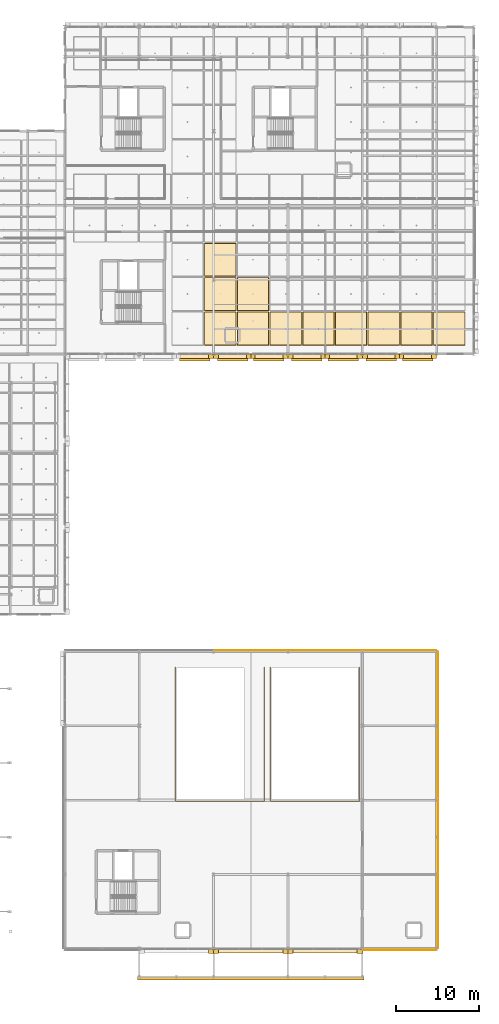
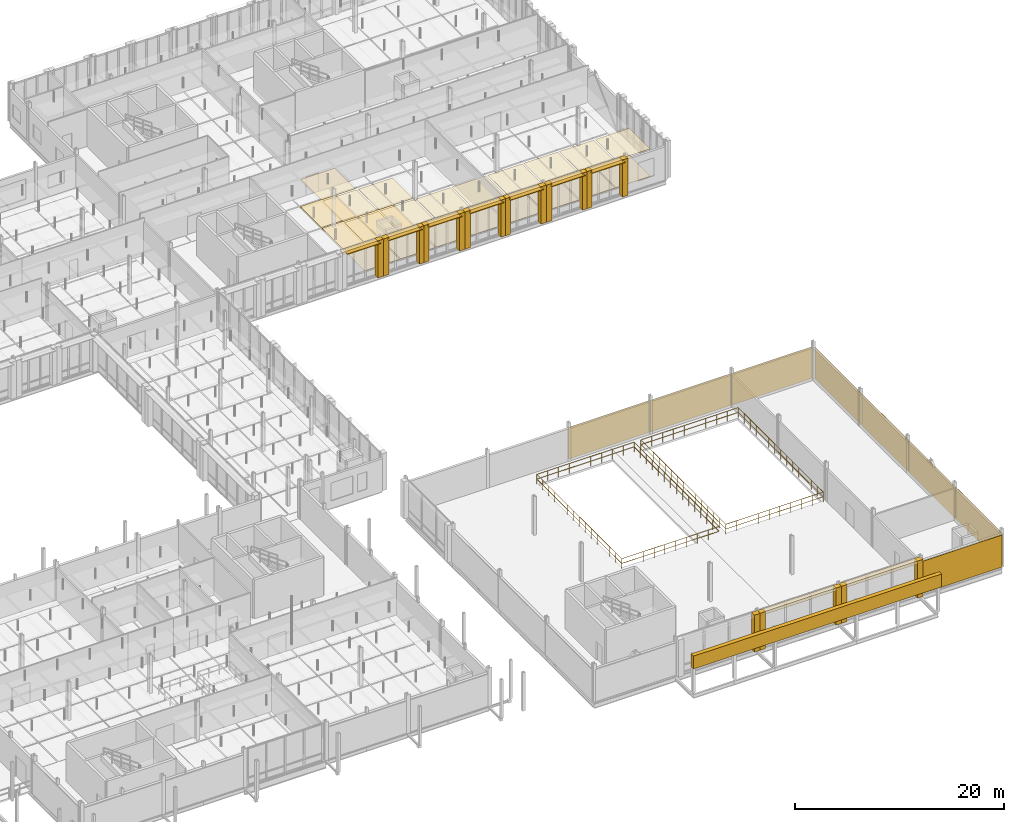
# One storey, part 128 of 130: 58 coverings, 7 shading devices, 2 railings.
"""IFC4 building model written with IfcOpenShell, lengths in metres."""

import ifcopenshell
import ifcopenshell.guid

model = None  # the IFC model being written
_history = None  # IfcOwnerHistory: only IFC2X3 demands one
_inside = {}  # id of a spatial element -> (the spatial element, [elements in it])
_under = {}  # id of a project, library or spatial element -> (it, [spatial elements below it])
_declared = {}  # id of a project -> (the project, [libraries it declares])
_typed = {}  # id of a type object -> (the type object, [elements of that type])
_made_of = {}  # id of a material, layer set ... -> (it, [elements and type objects made of it])


def new_model(schema):
    """Start an empty IFC model of exactly this schema.

    Asked for "IFC4X3", IfcOpenShell would pick the latest addendum, in which some entities
    have other attributes; the version numbers below select the first issue.
    IFC2X3 requires an IfcOwnerHistory on every rooted entity: one is made here for all.
    """
    global model, _history
    if schema == "IFC4X3":
        model = ifcopenshell.file(schema_version=(4, 3, 0, 0))
    else:
        model = ifcopenshell.file(schema=schema)
    _inside.clear()
    _under.clear()
    _declared.clear()
    _typed.clear()
    _made_of.clear()
    _history = None
    if model.schema == "IFC2X3":
        org = make("IfcOrganization", Name="unknown")
        user = make(
            "IfcPersonAndOrganization",
            ThePerson=make("IfcPerson", FamilyName="unknown"),
            TheOrganization=org,
        )
        app = make(
            "IfcApplication",
            ApplicationDeveloper=org,
            Version="unknown",
            ApplicationFullName="unknown",
            ApplicationIdentifier="unknown",
        )
        _history = make(
            "IfcOwnerHistory",
            OwningUser=user,
            OwningApplication=app,
            ChangeAction="ADDED",
            CreationDate=0,
        )
    return model


def make(cls, **values):
    """One entity of the class cls with the attributes given. An attribute that is None is left unset."""
    return model.create_entity(
        cls, **{name: value for name, value in values.items() if value is not None}
    )


def rooted(cls, **values):
    """An entity with a GlobalId (a new one), such as an element, a storey or a relation."""
    return make(cls, GlobalId=ifcopenshell.guid.new(), OwnerHistory=_history, **values)


def si_unit(unit_type, name, prefix=None):
    """IfcSIUnit, for example si_unit("LENGTHUNIT", "METRE", prefix="MILLI")."""
    return make("IfcSIUnit", UnitType=unit_type, Prefix=prefix, Name=name)


def assignment(units):
    """IfcUnitAssignment: the units of a project."""
    return None if units is None else make("IfcUnitAssignment", Units=units)


def point(xyz):
    """IfcCartesianPoint."""
    return None if xyz is None else make("IfcCartesianPoint", Coordinates=xyz)


def direction(xyz):
    """IfcDirection."""
    return None if xyz is None else make("IfcDirection", DirectionRatios=xyz)


def frame(location, z_axis=None, x_axis=None):
    """IfcAxis2Placement3D, a coordinate frame: its origin and axes. An axis left out is left unset."""
    return make(
        "IfcAxis2Placement3D",
        Location=point(location),
        Axis=direction(z_axis),
        RefDirection=direction(x_axis),
    )


def frame_2d(location, x_axis=None):
    """IfcAxis2Placement2D, a coordinate frame in the plane: its origin and x axis."""
    return make(
        "IfcAxis2Placement2D", Location=point(location), RefDirection=direction(x_axis)
    )


def origin():
    """The frame at (0, 0, 0) with its axes left unset."""
    return frame((0.0, 0.0, 0.0))


def origin_2d():
    """The frame at (0, 0) in the plane with its x axis left unset."""
    return frame_2d((0.0, 0.0))


def place(relative_to, where):
    """IfcLocalPlacement: puts the frame where relative to a parent placement (None: the world)."""
    return make(
        "IfcLocalPlacement", PlacementRelTo=relative_to, RelativePlacement=where
    )


def context(
    kind, dimensions, precision=None, world=None, true_north=None, identifier=None
):
    """IfcGeometricRepresentationContext, for example the 3D "Model" context."""
    return make(
        "IfcGeometricRepresentationContext",
        ContextIdentifier=identifier,
        ContextType=kind,
        CoordinateSpaceDimension=dimensions,
        Precision=precision,
        WorldCoordinateSystem=world,
        TrueNorth=true_north,
    )


def subcontext(parent, identifier, kind, view, scale=None):
    """IfcGeometricRepresentationSubContext, for example "Body" below "Model"."""
    return make(
        "IfcGeometricRepresentationSubContext",
        ContextIdentifier=identifier,
        ContextType=kind,
        ParentContext=parent,
        TargetScale=scale,
        TargetView=view,
    )


def project(units=None, contexts=None):
    """IfcProject with its units and contexts."""
    return rooted(
        "IfcProject",
        Name="project",
        RepresentationContexts=contexts,
        UnitsInContext=assignment(units),
    )


def spatial(cls, under=None, at=None, **own):
    """A site, building, storey or space (cls), placed at a placement, below another one or the project."""
    s = rooted(cls, ObjectPlacement=at, **own)
    if under is not None:
        _under.setdefault(under.id(), (under, []))[1].append(s)
    return s


def profile(cls, at=None, kind="AREA", **sizes):
    """A parametric profile (cls). Its sizes go by their IFC names, for example OverallWidth=200.0."""
    return make(cls, ProfileType=kind, Position=at, **sizes)


def rectangle(**sizes):
    """IfcRectangleProfileDef."""
    return profile("IfcRectangleProfileDef", **sizes)


def circle(**sizes):
    """IfcCircleProfileDef."""
    return profile("IfcCircleProfileDef", **sizes)


def extrude(swept, where, along, depth):
    """IfcExtrudedAreaSolid: the profile swept, set in the frame where, extruded along a direction by depth."""
    return make(
        "IfcExtrudedAreaSolid",
        SweptArea=swept,
        Position=where,
        ExtrudedDirection=direction(along),
        Depth=depth,
    )


def shape(context_of_items, identifier, shape_type, items):
    """IfcShapeRepresentation: the items that make up one representation, for example the "Body"."""
    return make(
        "IfcShapeRepresentation",
        ContextOfItems=context_of_items,
        RepresentationIdentifier=identifier,
        RepresentationType=shape_type,
        Items=items,
    )


def material(Name=None, Category=None):
    """IfcMaterial."""
    return make("IfcMaterial", Name=Name, Category=Category)


def layer(
    of_material, thickness, ventilated=None, Name=None, Category=None, Priority=None
):
    """IfcMaterialLayer: one layer of a wall or slab, of a material (None: an air gap)."""
    return make(
        "IfcMaterialLayer",
        Material=of_material,
        LayerThickness=thickness,
        IsVentilated=ventilated,
        Name=Name,
        Category=Category,
        Priority=Priority,
    )


def layer_set(layers, Name=None):
    """IfcMaterialLayerSet."""
    return make("IfcMaterialLayerSet", MaterialLayers=layers, LayerSetName=Name)


def made_of(thing, what):
    """Note that an element or type object is made of a material, layer set ...; save() writes the relation."""
    if what is not None:
        _made_of.setdefault(what.id(), (what, []))[1].append(thing)
    return thing


def type_object(cls, material=None, **own):
    """A type object (cls), such as IfcWallType, which elements share."""
    return made_of(rooted(cls, **own), material)


def element(
    cls,
    number,
    at=None,
    inside=None,
    cuts=None,
    type_object=None,
    material=None,
    context=None,
    identifier="Body",
    shape_type=None,
    held_by="IfcProductDefinitionShape",
    body=None,
    shapes=None,
    **own,
):
    """One element of the class cls, such as IfcWall. Its Tag is "e" and its number.

    at: its placement. inside: the storey or other place that contains it. cuts: it is an
    opening in that element (IfcRelVoidsElement). A single representation is given by context,
    identifier, shape_type and body (its items); several are given by shapes. held_by: the class
    of the entity that holds the representations. save() writes the other relations.
    """
    e = rooted(cls, Tag="e%d" % number, ObjectPlacement=at, **own)
    if body is not None:
        shapes = [shape(context, identifier, shape_type, body)]
    if shapes is not None:
        e.Representation = make(held_by, Representations=shapes)
    if inside is not None:
        _inside.setdefault(inside.id(), (inside, []))[1].append(e)
    if cuts is not None:
        rooted(
            "IfcRelVoidsElement", RelatingBuildingElement=cuts, RelatedOpeningElement=e
        )
    if type_object is not None:
        _typed.setdefault(type_object.id(), (type_object, []))[1].append(e)
    return made_of(e, material)


def aggregate(whole, parts):
    """IfcRelAggregates: a whole, such as a stair, and the parts it consists of."""
    return rooted("IfcRelAggregates", RelatingObject=whole, RelatedObjects=parts)


def save(model, path):
    """Write the relations noted so far, then the file.

    IfcRelAggregates (storeys below a building ...), IfcRelContainedInSpatialStructure (elements
    in a storey), IfcRelDefinesByType, IfcRelAssociatesMaterial and IfcRelDeclares: one each for
    every whole, place, type object, material and project.
    """
    for whole, parts in _under.values():
        aggregate(whole, parts)
    for where, things in _inside.values():
        rooted(
            "IfcRelContainedInSpatialStructure",
            RelatedElements=things,
            RelatingStructure=where,
        )
    for kind, things in _typed.values():
        rooted("IfcRelDefinesByType", RelatedObjects=things, RelatingType=kind)
    for what, things in _made_of.values():
        rooted("IfcRelAssociatesMaterial", RelatedObjects=things, RelatingMaterial=what)
    for by, libraries in _declared.values():
        rooted("IfcRelDeclares", RelatingContext=by, RelatedDefinitions=libraries)
    model.write(path)


model = new_model("IFC4")

# Units and contexts
model_context = context("Model", 3, precision=1e-05, world=origin(), true_north=direction((0.0, 1.0)))
body_context = subcontext(model_context, "Body", "Model", "MODEL_VIEW")
ifc_project = project(units=[si_unit("LENGTHUNIT", "METRE"), si_unit("AREAUNIT", "SQUARE_METRE"), si_unit("VOLUMEUNIT", "CUBIC_METRE"), si_unit("PLANEANGLEUNIT", "RADIAN"), si_unit("MASSUNIT", "GRAM", prefix="KILO"), si_unit("THERMODYNAMICTEMPERATUREUNIT", "KELVIN"), si_unit("POWERUNIT", "WATT")], contexts=[model_context])

# Site, building, storey
site_placement = place(None, origin())
site = spatial("IfcSite", under=ifc_project, at=site_placement, CompositionType="ELEMENT")
building_placement = place(site_placement, origin())
building = spatial("IfcBuilding", under=site, at=building_placement, Name="Tallowbark Science Centre", CompositionType="ELEMENT")
storey_placement = place(building_placement, frame((0.0, 0.0, 5.39990234375)))
storey = spatial("IfcBuildingStorey", under=building, at=storey_placement, Name="L01", CompositionType="ELEMENT", Elevation=5.39990234375)

# Coverings
ifc_material_1 = material(Name="Mineral-Fibre Acoustic Ceiling Tile Grid")
ifc_layer_1 = layer(ifc_material_1, 0.01806640625)
ifc_layer_set_1 = layer_set([ifc_layer_1], Name="Mineral-Fibre Acoustic Ceiling Tile Grid")
covering_type_1 = type_object("IfcCoveringType", Name="CLG-ACT-18", PredefinedType="CEILING", material=ifc_layer_set_1)
for number, where, z_axis, x_axis, name in (
    (1, (131.3125, 75.083251953125, 3.191162109375), (0.0, 0.0, 1.0), (1.0, 0.0, 0.0), "Suspended Ceiling L01-705"),
    (2, (131.3125, 79.25, 3.191162109375), (0.0, 0.0, 1.0), (1.0, 0.0, 0.0), "Suspended Ceiling L01-706"),
    (3, (131.3125, 83.416748046875, 3.191162109375), (0.0, 0.0, 1.0), (1.0, 0.0, 0.0), "Suspended Ceiling L01-707"),
    (4, (135.270751953125, 75.083251953125, 3.191162109375), (0.0, 0.0, 1.0), (1.0, 0.0, 0.0), "Suspended Ceiling L01-714"),
    (5, (135.270751953125, 79.25, 3.191162109375), (0.0, 0.0, 1.0), (1.0, 0.0, 0.0), "Suspended Ceiling L01-715"),
    (6, (139.229248046875, 75.083251953125, 3.191162109375), (0.0, 0.0, 1.0), (1.0, 0.0, 0.0), "Suspended Ceiling L01-720"),
    (7, (143.1875, 75.083251953125, 3.191162109375), (0.0, 0.0, 1.0), (1.0, 0.0, 0.0), "Suspended Ceiling L01-726"),
    (8, (147.145751953125, 75.083251953125, 3.191162109375), (0.0, 0.0, 1.0), (1.0, 0.0, 0.0), "Suspended Ceiling L01-732"),
    (9, (151.104248046875, 75.083251953125, 3.191162109375), (0.0, 0.0, 1.0), (1.0, 0.0, 0.0), "Suspended Ceiling L01-741"),
    (10, (155.0625, 75.083251953125, 3.191162109375), (0.0, 0.0, 1.0), (1.0, 0.0, 0.0), "Suspended Ceiling L01-750"),
    (11, (159.020751953125, 75.083251953125, 3.191162109375), (0.0, 0.0, 1.0), (1.0, 0.0, 0.0), "Suspended Ceiling L01-759"),
):
    element("IfcCovering", number, at=place(storey_placement, frame(where, z_axis=z_axis, x_axis=x_axis)), inside=storey, type_object=covering_type_1, Name=name, PredefinedType="CEILING", context=body_context, shape_type="SweptSolid", body=[
        extrude(rectangle(XDim=3.7783203125, YDim=3.98681640625, at=origin_2d()), origin(), (0.0, 0.0, 1.0), 0.01806640625),
    ])
ifc_material_2 = material(Name="White Architectural Precast Concrete Grade N40 (40 MPa)", Category="concrete")
ifc_layer_2 = layer(ifc_material_2, 0.1201171875)
ifc_layer_set_2 = layer_set([ifc_layer_2], Name="White Architectural Precast Concrete Grade N40 (40 MPa)")
covering_type_2 = type_object("IfcCoveringType", Name="COV-PRC-CLAD", PredefinedType="CLADDING", material=ifc_layer_set_2)
for number, where, z_axis, x_axis, name in (
    (12, (130.195068359375, -0.280029296875, 0.0), (0.0, 0.0, 1.0), (1.0, 0.0, 0.0), "Postmodern Deep Precast Pier CW-L01-002-2"),
    (13, (130.804931640625, -0.280029296875, 0.0), (0.0, 0.0, 1.0), (1.0, 0.0, 0.0), "Postmodern Deep Precast Pier CW-L01-003-1"),
    (14, (139.195068359375, -0.280029296875, 0.0), (0.0, 0.0, 1.0), (1.0, 0.0, 0.0), "Postmodern Deep Precast Pier CW-L01-003-2"),
    (15, (139.804931640625, -0.280029296875, 0.0), (0.0, 0.0, 1.0), (1.0, 0.0, 0.0), "Postmodern Deep Precast Pier CW-L01-004-1"),
    (16, (148.195068359375, -0.280029296875, 0.0), (0.0, 0.0, 1.0), (1.0, 0.0, 0.0), "Postmodern Deep Precast Pier CW-L01-004-2"),
    (17, (130.195068359375, 71.719970703125, 0.0), (0.0, 0.0, 1.0), (1.0, 0.0, 0.0), "Postmodern Deep Precast Pier CW-L01-117-2"),
    (18, (130.804931640625, 71.719970703125, 0.0), (0.0, 0.0, 1.0), (1.0, 0.0, 0.0), "Postmodern Deep Precast Pier CW-L01-120-1"),
):
    element("IfcCovering", number, at=place(storey_placement, frame(where, z_axis=z_axis, x_axis=x_axis)), inside=storey, type_object=covering_type_2, Name=name, PredefinedType="CLADDING", context=body_context, shape_type="SweptSolid", body=[
        extrude(rectangle(XDim=0.610107421875, YDim=0.56005859375, at=origin_2d()), origin(), (0.0, 0.0, 1.0), 4.320068359375),
    ])
for number, where, z_axis, x_axis, name in (
    (19, (134.7451171875, 71.719970703125, 0.0), (0.0, 0.0, 1.0), (1.0, 0.0, 0.0), "Postmodern Deep Precast Pier CW-L01-120-2"),
    (20, (135.2548828125, 71.719970703125, 0.0), (0.0, 0.0, 1.0), (1.0, 0.0, 0.0), "Postmodern Deep Precast Pier CW-L01-121-1"),
):
    element("IfcCovering", number, at=place(storey_placement, frame(where, z_axis=z_axis, x_axis=x_axis)), inside=storey, type_object=covering_type_2, Name=name, PredefinedType="CLADDING", context=body_context, shape_type="SweptSolid", body=[
        extrude(rectangle(XDim=0.510009765625, YDim=0.56005859375, at=origin_2d()), origin(), (0.0, 0.0, 1.0), 4.320068359375),
    ])
for number, where, z_axis, x_axis, name in (
    (21, (139.195068359375, 71.719970703125, 0.0), (0.0, 0.0, 1.0), (1.0, 0.0, 0.0), "Postmodern Deep Precast Pier CW-L01-121-2"),
    (22, (139.804931640625, 71.719970703125, 0.0), (0.0, 0.0, 1.0), (1.0, 0.0, 0.0), "Postmodern Deep Precast Pier CW-L01-124-1"),
):
    element("IfcCovering", number, at=place(storey_placement, frame(where, z_axis=z_axis, x_axis=x_axis)), inside=storey, type_object=covering_type_2, Name=name, PredefinedType="CLADDING", context=body_context, shape_type="SweptSolid", body=[
        extrude(rectangle(XDim=0.610107421875, YDim=0.56005859375, at=origin_2d()), origin(), (0.0, 0.0, 1.0), 4.320068359375),
    ])
for number, where, z_axis, x_axis, name in (
    (23, (143.7451171875, 71.719970703125, 0.0), (0.0, 0.0, 1.0), (1.0, 0.0, 0.0), "Postmodern Deep Precast Pier CW-L01-124-2"),
    (24, (144.2548828125, 71.719970703125, 0.0), (0.0, 0.0, 1.0), (1.0, 0.0, 0.0), "Postmodern Deep Precast Pier CW-L01-125-1"),
):
    element("IfcCovering", number, at=place(storey_placement, frame(where, z_axis=z_axis, x_axis=x_axis)), inside=storey, type_object=covering_type_2, Name=name, PredefinedType="CLADDING", context=body_context, shape_type="SweptSolid", body=[
        extrude(rectangle(XDim=0.510009765625, YDim=0.56005859375, at=origin_2d()), origin(), (0.0, 0.0, 1.0), 4.320068359375),
    ])
for number, where, z_axis, x_axis, name in (
    (25, (148.195068359375, 71.719970703125, 0.0), (0.0, 0.0, 1.0), (1.0, 0.0, 0.0), "Postmodern Deep Precast Pier CW-L01-125-2"),
    (26, (148.804931640625, 71.719970703125, 0.0), (0.0, 0.0, 1.0), (1.0, 0.0, 0.0), "Postmodern Deep Precast Pier CW-L01-128-1"),
):
    element("IfcCovering", number, at=place(storey_placement, frame(where, z_axis=z_axis, x_axis=x_axis)), inside=storey, type_object=covering_type_2, Name=name, PredefinedType="CLADDING", context=body_context, shape_type="SweptSolid", body=[
        extrude(rectangle(XDim=0.610107421875, YDim=0.56005859375, at=origin_2d()), origin(), (0.0, 0.0, 1.0), 4.320068359375),
    ])
for number, where, z_axis, x_axis, name in (
    (27, (152.7451171875, 71.719970703125, 0.0), (0.0, 0.0, 1.0), (1.0, 0.0, 0.0), "Postmodern Deep Precast Pier CW-L01-128-2"),
    (28, (153.2548828125, 71.719970703125, 0.0), (0.0, 0.0, 1.0), (1.0, 0.0, 0.0), "Postmodern Deep Precast Pier CW-L01-129-1"),
):
    element("IfcCovering", number, at=place(storey_placement, frame(where, z_axis=z_axis, x_axis=x_axis)), inside=storey, type_object=covering_type_2, Name=name, PredefinedType="CLADDING", context=body_context, shape_type="SweptSolid", body=[
        extrude(rectangle(XDim=0.510009765625, YDim=0.56005859375, at=origin_2d()), origin(), (0.0, 0.0, 1.0), 4.320068359375),
    ])
covering_1_placement = place(storey_placement, frame((157.195068359375, 71.719970703125, 0.0), z_axis=(0.0, 0.0, 1.0), x_axis=(1.0, 0.0, 0.0)))
element("IfcCovering", 29, at=covering_1_placement, inside=storey, type_object=covering_type_2, Name="Postmodern Deep Precast Pier CW-L01-129-2", PredefinedType="CLADDING", context=body_context, shape_type="SweptSolid", body=[
    extrude(rectangle(XDim=0.610107421875, YDim=0.56005859375, at=origin_2d()), origin(), (0.0, 0.0, 1.0), 4.320068359375),
])
ifc_material_3 = material(Name="Vitrified Ochre Terracotta Architectural Rainscreen", Category="masonry")
ifc_layer_3 = layer(ifc_material_3, 0.0380859375)
ifc_layer_set_3 = layer_set([ifc_layer_3], Name="Vitrified Ochre Terracotta Architectural Rainscreen")
covering_type_3 = type_object("IfcCoveringType", Name="COV-TER-CLAD", PredefinedType="CLADDING", material=ifc_layer_set_3)
covering_2_placement = place(storey_placement, frame((135.0, -0.260009765625, 3.97021484375), z_axis=(0.0, 0.0, 1.0), x_axis=(1.0, 0.0, 0.0)))
element("IfcCovering", 30, at=covering_2_placement, inside=storey, type_object=covering_type_3, Name="Postmodern Terracotta Cornice Band CW-L01-003", PredefinedType="CLADDING", context=body_context, shape_type="SweptSolid", body=[
    extrude(rectangle(XDim=8.699951171875, YDim=0.52001953125, at=origin_2d()), origin(), (0.0, 0.0, 1.0), 0.340087890625),
])
covering_3_placement = place(storey_placement, frame((135.0, 36.151611328125, 0.050048828125), z_axis=(0.0, 0.0, 1.0), x_axis=(-1.0, 0.0, 0.0)))
element("IfcCovering", 31, at=covering_3_placement, inside=storey, type_object=covering_type_3, Name="Architectural Rainscreen THT-N-L01-2", PredefinedType="CLADDING", context=body_context, shape_type="SweptSolid", body=[
    extrude(rectangle(XDim=8.8798828125, YDim=0.0380859375, at=origin_2d()), origin(), (0.0, 0.0, 1.0), 3.68115234375),
])
covering_4_placement = place(storey_placement, frame((144.0, -0.260009765625, 3.97021484375), z_axis=(0.0, 0.0, 1.0), x_axis=(1.0, 0.0, 0.0)))
element("IfcCovering", 32, at=covering_4_placement, inside=storey, type_object=covering_type_3, Name="Postmodern Terracotta Cornice Band CW-L01-004", PredefinedType="CLADDING", context=body_context, shape_type="SweptSolid", body=[
    extrude(rectangle(XDim=8.699951171875, YDim=0.52001953125, at=origin_2d()), origin(), (0.0, 0.0, 1.0), 0.340087890625),
])
covering_5_placement = place(storey_placement, frame((144.0, 36.151611328125, 0.050048828125), z_axis=(0.0, 0.0, 1.0), x_axis=(-1.0, 0.0, 0.0)))
element("IfcCovering", 33, at=covering_5_placement, inside=storey, type_object=covering_type_3, Name="Architectural Rainscreen THT-N-L01-3", PredefinedType="CLADDING", context=body_context, shape_type="SweptSolid", body=[
    extrude(rectangle(XDim=8.8798828125, YDim=0.0380859375, at=origin_2d()), origin(), (0.0, 0.0, 1.0), 3.68115234375),
])
covering_6_placement = place(storey_placement, frame((153.0, -0.151611328125, 0.050048828125), z_axis=(0.0, 0.0, 1.0), x_axis=(1.0, 0.0, 0.0)))
element("IfcCovering", 34, at=covering_6_placement, inside=storey, type_object=covering_type_3, Name="Architectural Rainscreen THT-S-L01-4", PredefinedType="CLADDING", context=body_context, shape_type="SweptSolid", body=[
    extrude(rectangle(XDim=8.8798828125, YDim=0.0380859375, at=origin_2d()), origin(), (0.0, 0.0, 1.0), 3.74609375),
])
for number, where, z_axis, x_axis, name in (
    (35, (153.0, 36.151611328125, 0.050048828125), (0.0, 0.0, 1.0), (-1.0, 0.0, 0.0), "Architectural Rainscreen THT-N-L01-4"),
    (36, (157.651611328125, 4.5, 0.050048828125), (0.0, 0.0, 1.0), (0.0, 1.0, 0.0), "Architectural Rainscreen THT-E-L01-0"),
    (37, (157.651611328125, 13.5, 0.050048828125), (0.0, 0.0, 1.0), (0.0, 1.0, 0.0), "Architectural Rainscreen THT-E-L01-1"),
    (38, (157.651611328125, 22.5, 0.050048828125), (0.0, 0.0, 1.0), (0.0, 1.0, 0.0), "Architectural Rainscreen THT-E-L01-2"),
    (39, (157.651611328125, 31.5, 0.050048828125), (0.0, 0.0, 1.0), (0.0, 1.0, 0.0), "Architectural Rainscreen THT-E-L01-3"),
):
    element("IfcCovering", number, at=place(storey_placement, frame(where, z_axis=z_axis, x_axis=x_axis)), inside=storey, type_object=covering_type_3, Name=name, PredefinedType="CLADDING", context=body_context, shape_type="SweptSolid", body=[
        extrude(rectangle(XDim=8.8798828125, YDim=0.0380859375, at=origin_2d()), origin(), (0.0, 0.0, 1.0), 3.68115234375),
    ])
covering_7_placement = place(storey_placement, frame((135.0, -3.550048828125, 3.0), z_axis=(0.0, 0.0, 1.0), x_axis=(1.0, 0.0, 0.0)))
element("IfcCovering", 40, at=covering_7_placement, inside=storey, type_object=covering_type_3, Name="Theatre Portico Postmodern Terracotta Entablature", PredefinedType="CLADDING", context=body_context, shape_type="SweptSolid", body=[
    extrude(rectangle(XDim=27.39990234375, YDim=0.449951171875, at=origin_2d()), origin(), (0.0, 0.0, 1.0), 1.5),
])
for number, where, z_axis, x_axis, name in (
    (41, (128.199951171875, 71.739990234375, 3.97021484375), (0.0, 0.0, 1.0), (1.0, 0.0, 0.0), "Postmodern Terracotta Cornice Band CW-L01-117"),
    (42, (132.800048828125, 71.739990234375, 3.97021484375), (0.0, 0.0, 1.0), (1.0, 0.0, 0.0), "Postmodern Terracotta Cornice Band CW-L01-120"),
    (43, (137.199951171875, 71.739990234375, 3.97021484375), (0.0, 0.0, 1.0), (1.0, 0.0, 0.0), "Postmodern Terracotta Cornice Band CW-L01-121"),
    (44, (141.800048828125, 71.739990234375, 3.97021484375), (0.0, 0.0, 1.0), (1.0, 0.0, 0.0), "Postmodern Terracotta Cornice Band CW-L01-124"),
    (45, (146.199951171875, 71.739990234375, 3.97021484375), (0.0, 0.0, 1.0), (1.0, 0.0, 0.0), "Postmodern Terracotta Cornice Band CW-L01-125"),
    (46, (150.800048828125, 71.739990234375, 3.97021484375), (0.0, 0.0, 1.0), (1.0, 0.0, 0.0), "Postmodern Terracotta Cornice Band CW-L01-128"),
    (47, (155.199951171875, 71.739990234375, 3.97021484375), (0.0, 0.0, 1.0), (1.0, 0.0, 0.0), "Postmodern Terracotta Cornice Band CW-L01-129"),
):
    element("IfcCovering", number, at=place(storey_placement, frame(where, z_axis=z_axis, x_axis=x_axis)), inside=storey, type_object=covering_type_3, Name=name, PredefinedType="CLADDING", context=body_context, shape_type="SweptSolid", body=[
        extrude(rectangle(XDim=4.300048828125, YDim=0.52001953125, at=origin_2d()), origin(), (0.0, 0.0, 1.0), 0.340087890625),
    ])
ifc_material_4 = material(Name="Engineered Blackbutt Gallery Timber Flooring", Category="wood")
ifc_layer_4 = layer(ifc_material_4, 0.02197265625)
ifc_layer_set_4 = layer_set([ifc_layer_4], Name="Engineered Blackbutt Gallery Timber Flooring")
covering_type_4 = type_object("IfcCoveringType", Name="FLR-TIM-22", PredefinedType="FLOORING", material=ifc_layer_set_4)
for number, where, z_axis, x_axis, name in (
    (48, (131.3125, 75.083251953125, 0.0), (0.0, 0.0, 1.0), (1.0, 0.0, 0.0), "Floor Finish L01-705"),
    (49, (131.3125, 79.25, 0.0), (0.0, 0.0, 1.0), (1.0, 0.0, 0.0), "Floor Finish L01-706"),
    (50, (131.3125, 83.416748046875, 0.0), (0.0, 0.0, 1.0), (1.0, 0.0, 0.0), "Floor Finish L01-707"),
    (51, (135.270751953125, 75.083251953125, 0.0), (0.0, 0.0, 1.0), (1.0, 0.0, 0.0), "Floor Finish L01-714"),
    (52, (135.270751953125, 79.25, 0.0), (0.0, 0.0, 1.0), (1.0, 0.0, 0.0), "Floor Finish L01-715"),
    (53, (139.229248046875, 75.083251953125, 0.0), (0.0, 0.0, 1.0), (1.0, 0.0, 0.0), "Floor Finish L01-720"),
    (54, (143.1875, 75.083251953125, 0.0), (0.0, 0.0, 1.0), (1.0, 0.0, 0.0), "Floor Finish L01-726"),
    (55, (147.145751953125, 75.083251953125, 0.0), (0.0, 0.0, 1.0), (1.0, 0.0, 0.0), "Floor Finish L01-732"),
    (56, (151.104248046875, 75.083251953125, 0.0), (0.0, 0.0, 1.0), (1.0, 0.0, 0.0), "Floor Finish L01-741"),
    (57, (155.0625, 75.083251953125, 0.0), (0.0, 0.0, 1.0), (1.0, 0.0, 0.0), "Floor Finish L01-750"),
    (58, (159.020751953125, 75.083251953125, 0.0), (0.0, 0.0, 1.0), (1.0, 0.0, 0.0), "Floor Finish L01-759"),
):
    element("IfcCovering", number, at=place(storey_placement, frame(where, z_axis=z_axis, x_axis=x_axis)), inside=storey, type_object=covering_type_4, Name=name, PredefinedType="FLOORING", context=body_context, shape_type="SweptSolid", body=[
        extrude(rectangle(XDim=3.83837890625, YDim=4.046630859375, at=origin_2d()), origin(), (0.0, 0.0, 1.0), 0.02197265625),
    ])

# Railings
ifc_material_5 = material(Name="Galvanised Painted Steel and Laminated Glass Balustrade", Category="steel")
ifc_layer_5 = layer(ifc_material_5, 0.070068359375)
ifc_layer_set_5 = layer_set([ifc_layer_5], Name="Galvanised Painted Steel and Laminated Glass Balustrade")
railing_type = type_object("IfcRailingType", Name="RLG-BAL-1150", PredefinedType="BALUSTRADE", material=ifc_layer_set_5)
railing_1_placement = place(storey_placement, frame((125.8798828125, 17.8798828125, 0.0)))
element("IfcRailing", 59, at=railing_1_placement, inside=storey, type_object=railing_type, Name="Guardrail GD-THT-VOID-L01W", PredefinedType="BALUSTRADE", context=body_context, shape_type="SweptSolid", body=[
    extrude(circle(Radius=0.02392578125, at=origin_2d()), frame((0.0, 0.0, 1.1259765625), z_axis=(1.0, 0.0, 0.0), x_axis=(0.0, 1.0, 0.0)), (0.0, 0.0, 1.0), 10.740234375),
    extrude(circle(Radius=0.02392578125, at=origin_2d()), frame((0.0, 0.0, 0.574951171875), z_axis=(1.0, 0.0, 0.0), x_axis=(0.0, 1.0, 0.0)), (0.0, 0.0, 1.0), 10.740234375),
    extrude(circle(Radius=0.02392578125, at=origin_2d()), frame((10.740234375, 0.0, 1.1259765625), z_axis=(0.0, 1.0, 0.0), x_axis=(-1.0, 0.0, 0.0)), (0.0, 0.0, 1.0), 16.240234375),
    extrude(circle(Radius=0.02392578125, at=origin_2d()), frame((10.740234375, 0.0, 0.574951171875), z_axis=(0.0, 1.0, 0.0), x_axis=(-1.0, 0.0, 0.0)), (0.0, 0.0, 1.0), 16.240234375),
    extrude(circle(Radius=0.02392578125, at=origin_2d()), frame((10.740234375, 16.240234375, 1.1259765625), z_axis=(-1.0, 0.0, 0.0), x_axis=(0.0, -1.0, 0.0)), (0.0, 0.0, 1.0), 10.740234375),
    extrude(circle(Radius=0.02392578125, at=origin_2d()), frame((10.740234375, 16.240234375, 0.574951171875), z_axis=(-1.0, 0.0, 0.0), x_axis=(0.0, -1.0, 0.0)), (0.0, 0.0, 1.0), 10.740234375),
    extrude(circle(Radius=0.02392578125, at=origin_2d()), frame((0.0, 16.240234375, 1.1259765625), z_axis=(0.0, -1.0, 0.0), x_axis=(1.0, 0.0, 0.0)), (0.0, 0.0, 1.0), 16.240234375),
    extrude(circle(Radius=0.02392578125, at=origin_2d()), frame((0.0, 16.240234375, 0.574951171875), z_axis=(0.0, -1.0, 0.0), x_axis=(1.0, 0.0, 0.0)), (0.0, 0.0, 1.0), 16.240234375),
    extrude(circle(Radius=0.02099609375, at=origin_2d()), origin(), (0.0, 0.0, 1.0), 1.101806640625),
    extrude(circle(Radius=0.02099609375, at=origin_2d()), frame((1.193359375, 0.0, 0.0)), (0.0, 0.0, 1.0), 1.101806640625),
    extrude(circle(Radius=0.02099609375, at=origin_2d()), frame((2.38671875, 0.0, 0.0)), (0.0, 0.0, 1.0), 1.101806640625),
    extrude(circle(Radius=0.02099609375, at=origin_2d()), frame((3.580078125, 0.0, 0.0)), (0.0, 0.0, 1.0), 1.101806640625),
    extrude(circle(Radius=0.02099609375, at=origin_2d()), frame((4.7734375, 0.0, 0.0)), (0.0, 0.0, 1.0), 1.101806640625),
    extrude(circle(Radius=0.02099609375, at=origin_2d()), frame((5.966796875, 0.0, 0.0)), (0.0, 0.0, 1.0), 1.101806640625),
    extrude(circle(Radius=0.02099609375, at=origin_2d()), frame((7.16015625, 0.0, 0.0)), (0.0, 0.0, 1.0), 1.101806640625),
    extrude(circle(Radius=0.02099609375, at=origin_2d()), frame((8.353515625, 0.0, 0.0)), (0.0, 0.0, 1.0), 1.101806640625),
    extrude(circle(Radius=0.02099609375, at=origin_2d()), frame((9.546875, 0.0, 0.0)), (0.0, 0.0, 1.0), 1.101806640625),
    extrude(circle(Radius=0.02099609375, at=origin_2d()), frame((10.740234375, 0.0, 0.0)), (0.0, 0.0, 1.0), 1.101806640625),
    extrude(circle(Radius=0.02099609375, at=origin_2d()), frame((10.740234375, 1.159912109375, 0.0)), (0.0, 0.0, 1.0), 1.101806640625),
    extrude(circle(Radius=0.02099609375, at=origin_2d()), frame((10.740234375, 2.320068359375, 0.0)), (0.0, 0.0, 1.0), 1.101806640625),
    extrude(circle(Radius=0.02099609375, at=origin_2d()), frame((10.740234375, 3.47998046875, 0.0)), (0.0, 0.0, 1.0), 1.101806640625),
    extrude(circle(Radius=0.02099609375, at=origin_2d()), frame((10.740234375, 4.64013671875, 0.0)), (0.0, 0.0, 1.0), 1.101806640625),
    extrude(circle(Radius=0.02099609375, at=origin_2d()), frame((10.740234375, 5.800048828125, 0.0)), (0.0, 0.0, 1.0), 1.101806640625),
    extrude(circle(Radius=0.02099609375, at=origin_2d()), frame((10.740234375, 6.960205078125, 0.0)), (0.0, 0.0, 1.0), 1.101806640625),
    extrude(circle(Radius=0.02099609375, at=origin_2d()), frame((10.740234375, 8.1201171875, 0.0)), (0.0, 0.0, 1.0), 1.101806640625),
    extrude(circle(Radius=0.02099609375, at=origin_2d()), frame((10.740234375, 9.280029296875, 0.0)), (0.0, 0.0, 1.0), 1.101806640625),
    extrude(circle(Radius=0.02099609375, at=origin_2d()), frame((10.740234375, 10.440185546875, 0.0)), (0.0, 0.0, 1.0), 1.101806640625),
    extrude(circle(Radius=0.02099609375, at=origin_2d()), frame((10.740234375, 11.60009765625, 0.0)), (0.0, 0.0, 1.0), 1.101806640625),
    extrude(circle(Radius=0.02099609375, at=origin_2d()), frame((10.740234375, 12.76025390625, 0.0)), (0.0, 0.0, 1.0), 1.101806640625),
    extrude(circle(Radius=0.02099609375, at=origin_2d()), frame((10.740234375, 13.920166015625, 0.0)), (0.0, 0.0, 1.0), 1.101806640625),
    extrude(circle(Radius=0.02099609375, at=origin_2d()), frame((10.740234375, 15.080322265625, 0.0)), (0.0, 0.0, 1.0), 1.101806640625),
    extrude(circle(Radius=0.02099609375, at=origin_2d()), frame((10.740234375, 16.240234375, 0.0)), (0.0, 0.0, 1.0), 1.101806640625),
    extrude(circle(Radius=0.02099609375, at=origin_2d()), frame((9.546875, 16.240234375, 0.0)), (0.0, 0.0, 1.0), 1.101806640625),
    extrude(circle(Radius=0.02099609375, at=origin_2d()), frame((8.353515625, 16.240234375, 0.0)), (0.0, 0.0, 1.0), 1.101806640625),
    extrude(circle(Radius=0.02099609375, at=origin_2d()), frame((7.16015625, 16.240234375, 0.0)), (0.0, 0.0, 1.0), 1.101806640625),
    extrude(circle(Radius=0.02099609375, at=origin_2d()), frame((5.966796875, 16.240234375, 0.0)), (0.0, 0.0, 1.0), 1.101806640625),
    extrude(circle(Radius=0.02099609375, at=origin_2d()), frame((4.7734375, 16.240234375, 0.0)), (0.0, 0.0, 1.0), 1.101806640625),
    extrude(circle(Radius=0.02099609375, at=origin_2d()), frame((3.580078125, 16.240234375, 0.0)), (0.0, 0.0, 1.0), 1.101806640625),
    extrude(circle(Radius=0.02099609375, at=origin_2d()), frame((2.38671875, 16.240234375, 0.0)), (0.0, 0.0, 1.0), 1.101806640625),
    extrude(circle(Radius=0.02099609375, at=origin_2d()), frame((1.193359375, 16.240234375, 0.0)), (0.0, 0.0, 1.0), 1.101806640625),
    extrude(circle(Radius=0.02099609375, at=origin_2d()), frame((0.0, 16.240234375, 0.0)), (0.0, 0.0, 1.0), 1.101806640625),
    extrude(circle(Radius=0.02099609375, at=origin_2d()), frame((0.0, 15.080322265625, 0.0)), (0.0, 0.0, 1.0), 1.101806640625),
    extrude(circle(Radius=0.02099609375, at=origin_2d()), frame((0.0, 13.920166015625, 0.0)), (0.0, 0.0, 1.0), 1.101806640625),
    extrude(circle(Radius=0.02099609375, at=origin_2d()), frame((0.0, 12.76025390625, 0.0)), (0.0, 0.0, 1.0), 1.101806640625),
    extrude(circle(Radius=0.02099609375, at=origin_2d()), frame((0.0, 11.60009765625, 0.0)), (0.0, 0.0, 1.0), 1.101806640625),
    extrude(circle(Radius=0.02099609375, at=origin_2d()), frame((0.0, 10.440185546875, 0.0)), (0.0, 0.0, 1.0), 1.101806640625),
    extrude(circle(Radius=0.02099609375, at=origin_2d()), frame((0.0, 9.280029296875, 0.0)), (0.0, 0.0, 1.0), 1.101806640625),
    extrude(circle(Radius=0.02099609375, at=origin_2d()), frame((0.0, 8.1201171875, 0.0)), (0.0, 0.0, 1.0), 1.101806640625),
    extrude(circle(Radius=0.02099609375, at=origin_2d()), frame((0.0, 6.960205078125, 0.0)), (0.0, 0.0, 1.0), 1.101806640625),
    extrude(circle(Radius=0.02099609375, at=origin_2d()), frame((0.0, 5.800048828125, 0.0)), (0.0, 0.0, 1.0), 1.101806640625),
    extrude(circle(Radius=0.02099609375, at=origin_2d()), frame((0.0, 4.64013671875, 0.0)), (0.0, 0.0, 1.0), 1.101806640625),
    extrude(circle(Radius=0.02099609375, at=origin_2d()), frame((0.0, 3.47998046875, 0.0)), (0.0, 0.0, 1.0), 1.101806640625),
    extrude(circle(Radius=0.02099609375, at=origin_2d()), frame((0.0, 2.320068359375, 0.0)), (0.0, 0.0, 1.0), 1.101806640625),
    extrude(circle(Radius=0.02099609375, at=origin_2d()), frame((0.0, 1.159912109375, 0.0)), (0.0, 0.0, 1.0), 1.101806640625),
])
railing_2_placement = place(storey_placement, frame((137.3798828125, 17.8798828125, 0.0)))
element("IfcRailing", 60, at=railing_2_placement, inside=storey, type_object=railing_type, Name="Guardrail GD-THT-VOID-L01E", PredefinedType="BALUSTRADE", context=body_context, shape_type="SweptSolid", body=[
    extrude(circle(Radius=0.02392578125, at=origin_2d()), frame((0.0, 0.0, 1.1259765625), z_axis=(1.0, 0.0, 0.0), x_axis=(0.0, 1.0, 0.0)), (0.0, 0.0, 1.0), 10.740234375),
    extrude(circle(Radius=0.02392578125, at=origin_2d()), frame((0.0, 0.0, 0.574951171875), z_axis=(1.0, 0.0, 0.0), x_axis=(0.0, 1.0, 0.0)), (0.0, 0.0, 1.0), 10.740234375),
    extrude(circle(Radius=0.02392578125, at=origin_2d()), frame((10.740234375, 0.0, 1.1259765625), z_axis=(0.0, 1.0, 0.0), x_axis=(-1.0, 0.0, 0.0)), (0.0, 0.0, 1.0), 16.240234375),
    extrude(circle(Radius=0.02392578125, at=origin_2d()), frame((10.740234375, 0.0, 0.574951171875), z_axis=(0.0, 1.0, 0.0), x_axis=(-1.0, 0.0, 0.0)), (0.0, 0.0, 1.0), 16.240234375),
    extrude(circle(Radius=0.02392578125, at=origin_2d()), frame((10.740234375, 16.240234375, 1.1259765625), z_axis=(-1.0, 0.0, 0.0), x_axis=(0.0, -1.0, 0.0)), (0.0, 0.0, 1.0), 10.740234375),
    extrude(circle(Radius=0.02392578125, at=origin_2d()), frame((10.740234375, 16.240234375, 0.574951171875), z_axis=(-1.0, 0.0, 0.0), x_axis=(0.0, -1.0, 0.0)), (0.0, 0.0, 1.0), 10.740234375),
    extrude(circle(Radius=0.02392578125, at=origin_2d()), frame((0.0, 16.240234375, 1.1259765625), z_axis=(0.0, -1.0, 0.0), x_axis=(1.0, 0.0, 0.0)), (0.0, 0.0, 1.0), 16.240234375),
    extrude(circle(Radius=0.02392578125, at=origin_2d()), frame((0.0, 16.240234375, 0.574951171875), z_axis=(0.0, -1.0, 0.0), x_axis=(1.0, 0.0, 0.0)), (0.0, 0.0, 1.0), 16.240234375),
    extrude(circle(Radius=0.02099609375, at=origin_2d()), origin(), (0.0, 0.0, 1.0), 1.101806640625),
    extrude(circle(Radius=0.02099609375, at=origin_2d()), frame((1.193359375, 0.0, 0.0)), (0.0, 0.0, 1.0), 1.101806640625),
    extrude(circle(Radius=0.02099609375, at=origin_2d()), frame((2.38671875, 0.0, 0.0)), (0.0, 0.0, 1.0), 1.101806640625),
    extrude(circle(Radius=0.02099609375, at=origin_2d()), frame((3.580078125, 0.0, 0.0)), (0.0, 0.0, 1.0), 1.101806640625),
    extrude(circle(Radius=0.02099609375, at=origin_2d()), frame((4.7734375, 0.0, 0.0)), (0.0, 0.0, 1.0), 1.101806640625),
    extrude(circle(Radius=0.02099609375, at=origin_2d()), frame((5.966796875, 0.0, 0.0)), (0.0, 0.0, 1.0), 1.101806640625),
    extrude(circle(Radius=0.02099609375, at=origin_2d()), frame((7.16015625, 0.0, 0.0)), (0.0, 0.0, 1.0), 1.101806640625),
    extrude(circle(Radius=0.02099609375, at=origin_2d()), frame((8.353515625, 0.0, 0.0)), (0.0, 0.0, 1.0), 1.101806640625),
    extrude(circle(Radius=0.02099609375, at=origin_2d()), frame((9.546875, 0.0, 0.0)), (0.0, 0.0, 1.0), 1.101806640625),
    extrude(circle(Radius=0.02099609375, at=origin_2d()), frame((10.740234375, 0.0, 0.0)), (0.0, 0.0, 1.0), 1.101806640625),
    extrude(circle(Radius=0.02099609375, at=origin_2d()), frame((10.740234375, 1.159912109375, 0.0)), (0.0, 0.0, 1.0), 1.101806640625),
    extrude(circle(Radius=0.02099609375, at=origin_2d()), frame((10.740234375, 2.320068359375, 0.0)), (0.0, 0.0, 1.0), 1.101806640625),
    extrude(circle(Radius=0.02099609375, at=origin_2d()), frame((10.740234375, 3.47998046875, 0.0)), (0.0, 0.0, 1.0), 1.101806640625),
    extrude(circle(Radius=0.02099609375, at=origin_2d()), frame((10.740234375, 4.64013671875, 0.0)), (0.0, 0.0, 1.0), 1.101806640625),
    extrude(circle(Radius=0.02099609375, at=origin_2d()), frame((10.740234375, 5.800048828125, 0.0)), (0.0, 0.0, 1.0), 1.101806640625),
    extrude(circle(Radius=0.02099609375, at=origin_2d()), frame((10.740234375, 6.960205078125, 0.0)), (0.0, 0.0, 1.0), 1.101806640625),
    extrude(circle(Radius=0.02099609375, at=origin_2d()), frame((10.740234375, 8.1201171875, 0.0)), (0.0, 0.0, 1.0), 1.101806640625),
    extrude(circle(Radius=0.02099609375, at=origin_2d()), frame((10.740234375, 9.280029296875, 0.0)), (0.0, 0.0, 1.0), 1.101806640625),
    extrude(circle(Radius=0.02099609375, at=origin_2d()), frame((10.740234375, 10.440185546875, 0.0)), (0.0, 0.0, 1.0), 1.101806640625),
    extrude(circle(Radius=0.02099609375, at=origin_2d()), frame((10.740234375, 11.60009765625, 0.0)), (0.0, 0.0, 1.0), 1.101806640625),
    extrude(circle(Radius=0.02099609375, at=origin_2d()), frame((10.740234375, 12.76025390625, 0.0)), (0.0, 0.0, 1.0), 1.101806640625),
    extrude(circle(Radius=0.02099609375, at=origin_2d()), frame((10.740234375, 13.920166015625, 0.0)), (0.0, 0.0, 1.0), 1.101806640625),
    extrude(circle(Radius=0.02099609375, at=origin_2d()), frame((10.740234375, 15.080322265625, 0.0)), (0.0, 0.0, 1.0), 1.101806640625),
    extrude(circle(Radius=0.02099609375, at=origin_2d()), frame((10.740234375, 16.240234375, 0.0)), (0.0, 0.0, 1.0), 1.101806640625),
    extrude(circle(Radius=0.02099609375, at=origin_2d()), frame((9.546875, 16.240234375, 0.0)), (0.0, 0.0, 1.0), 1.101806640625),
    extrude(circle(Radius=0.02099609375, at=origin_2d()), frame((8.353515625, 16.240234375, 0.0)), (0.0, 0.0, 1.0), 1.101806640625),
    extrude(circle(Radius=0.02099609375, at=origin_2d()), frame((7.16015625, 16.240234375, 0.0)), (0.0, 0.0, 1.0), 1.101806640625),
    extrude(circle(Radius=0.02099609375, at=origin_2d()), frame((5.966796875, 16.240234375, 0.0)), (0.0, 0.0, 1.0), 1.101806640625),
    extrude(circle(Radius=0.02099609375, at=origin_2d()), frame((4.7734375, 16.240234375, 0.0)), (0.0, 0.0, 1.0), 1.101806640625),
    extrude(circle(Radius=0.02099609375, at=origin_2d()), frame((3.580078125, 16.240234375, 0.0)), (0.0, 0.0, 1.0), 1.101806640625),
    extrude(circle(Radius=0.02099609375, at=origin_2d()), frame((2.38671875, 16.240234375, 0.0)), (0.0, 0.0, 1.0), 1.101806640625),
    extrude(circle(Radius=0.02099609375, at=origin_2d()), frame((1.193359375, 16.240234375, 0.0)), (0.0, 0.0, 1.0), 1.101806640625),
    extrude(circle(Radius=0.02099609375, at=origin_2d()), frame((0.0, 16.240234375, 0.0)), (0.0, 0.0, 1.0), 1.101806640625),
    extrude(circle(Radius=0.02099609375, at=origin_2d()), frame((0.0, 15.080322265625, 0.0)), (0.0, 0.0, 1.0), 1.101806640625),
    extrude(circle(Radius=0.02099609375, at=origin_2d()), frame((0.0, 13.920166015625, 0.0)), (0.0, 0.0, 1.0), 1.101806640625),
    extrude(circle(Radius=0.02099609375, at=origin_2d()), frame((0.0, 12.76025390625, 0.0)), (0.0, 0.0, 1.0), 1.101806640625),
    extrude(circle(Radius=0.02099609375, at=origin_2d()), frame((0.0, 11.60009765625, 0.0)), (0.0, 0.0, 1.0), 1.101806640625),
    extrude(circle(Radius=0.02099609375, at=origin_2d()), frame((0.0, 10.440185546875, 0.0)), (0.0, 0.0, 1.0), 1.101806640625),
    extrude(circle(Radius=0.02099609375, at=origin_2d()), frame((0.0, 9.280029296875, 0.0)), (0.0, 0.0, 1.0), 1.101806640625),
    extrude(circle(Radius=0.02099609375, at=origin_2d()), frame((0.0, 8.1201171875, 0.0)), (0.0, 0.0, 1.0), 1.101806640625),
    extrude(circle(Radius=0.02099609375, at=origin_2d()), frame((0.0, 6.960205078125, 0.0)), (0.0, 0.0, 1.0), 1.101806640625),
    extrude(circle(Radius=0.02099609375, at=origin_2d()), frame((0.0, 5.800048828125, 0.0)), (0.0, 0.0, 1.0), 1.101806640625),
    extrude(circle(Radius=0.02099609375, at=origin_2d()), frame((0.0, 4.64013671875, 0.0)), (0.0, 0.0, 1.0), 1.101806640625),
    extrude(circle(Radius=0.02099609375, at=origin_2d()), frame((0.0, 3.47998046875, 0.0)), (0.0, 0.0, 1.0), 1.101806640625),
    extrude(circle(Radius=0.02099609375, at=origin_2d()), frame((0.0, 2.320068359375, 0.0)), (0.0, 0.0, 1.0), 1.101806640625),
    extrude(circle(Radius=0.02099609375, at=origin_2d()), frame((0.0, 1.159912109375, 0.0)), (0.0, 0.0, 1.0), 1.101806640625),
])

# Shading devices
ifc_material_6 = material(Name="Terracotta-Anodised Extruded Aluminium Sunshade Blade", Category="masonry")
ifc_layer_6 = layer(ifc_material_6, 0.054931640625)
ifc_layer_set_6 = layer_set([ifc_layer_6], Name="Terracotta-Anodised Extruded Aluminium Sunshade Blade")
shading_device_type = type_object("IfcShadingDeviceType", Name="SHD-LVR-300", PredefinedType="AWNING", material=ifc_layer_set_6)
for number, where, z_axis, x_axis, name in (
    (61, (128.199951171875, 71.580078125, 4.1328125), (0.0, 0.0, 1.0), (1.0, 0.0, 0.0), "Horizontal Solar Louvre Hood CW-L01-117"),
    (62, (132.800048828125, 71.580078125, 4.1328125), (0.0, 0.0, 1.0), (1.0, 0.0, 0.0), "Horizontal Solar Louvre Hood CW-L01-120"),
    (63, (137.199951171875, 71.580078125, 4.1328125), (0.0, 0.0, 1.0), (1.0, 0.0, 0.0), "Horizontal Solar Louvre Hood CW-L01-121"),
    (64, (141.800048828125, 71.580078125, 4.1328125), (0.0, 0.0, 1.0), (1.0, 0.0, 0.0), "Horizontal Solar Louvre Hood CW-L01-124"),
    (65, (146.199951171875, 71.580078125, 4.1328125), (0.0, 0.0, 1.0), (1.0, 0.0, 0.0), "Horizontal Solar Louvre Hood CW-L01-125"),
    (66, (150.800048828125, 71.580078125, 4.1328125), (0.0, 0.0, 1.0), (1.0, 0.0, 0.0), "Horizontal Solar Louvre Hood CW-L01-128"),
    (67, (155.199951171875, 71.580078125, 4.1328125), (0.0, 0.0, 1.0), (1.0, 0.0, 0.0), "Horizontal Solar Louvre Hood CW-L01-129"),
):
    element("IfcShadingDevice", number, at=place(storey_placement, frame(where, z_axis=z_axis, x_axis=x_axis)), inside=storey, type_object=shading_device_type, Name=name, PredefinedType="AWNING", context=body_context, shape_type="SweptSolid", body=[
        extrude(rectangle(XDim=3.699951171875, YDim=0.840087890625, at=origin_2d()), origin(), (0.0, 0.0, 1.0), 0.054931640625),
    ])

save(model, "model.ifc")
